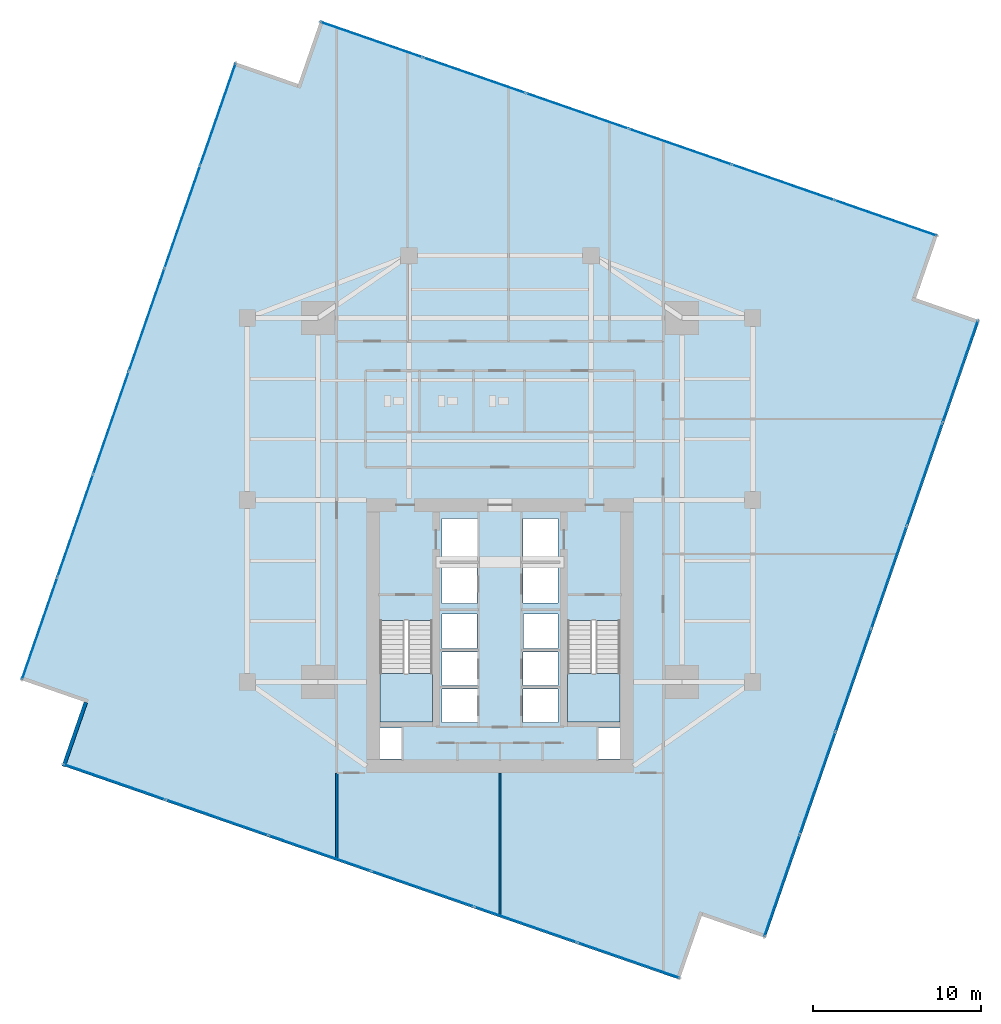
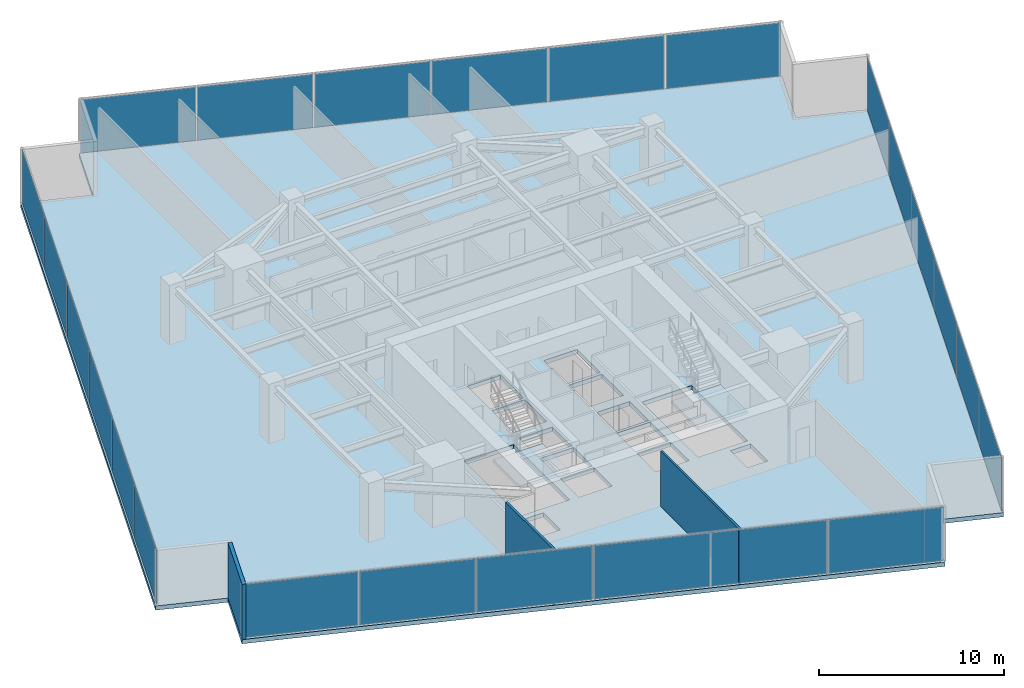
# One storey, part 22 of 27: 24 plates, 3 slabs, 3 walls, 6 elements without a shape of their own.
"""IFC4 building model written with IfcOpenShell, lengths in metres."""

import ifcopenshell
import ifcopenshell.guid

model = None  # the IFC model being written
_history = None  # IfcOwnerHistory: only IFC2X3 demands one
_inside = {}  # id of a spatial element -> (the spatial element, [elements in it])
_under = {}  # id of a project, library or spatial element -> (it, [spatial elements below it])
_declared = {}  # id of a project -> (the project, [libraries it declares])
_typed = {}  # id of a type object -> (the type object, [elements of that type])
_made_of = {}  # id of a material, layer set ... -> (it, [elements and type objects made of it])


def new_model(schema):
    """Start an empty IFC model of exactly this schema.

    Asked for "IFC4X3", IfcOpenShell would pick the latest addendum, in which some entities
    have other attributes; the version numbers below select the first issue.
    IFC2X3 requires an IfcOwnerHistory on every rooted entity: one is made here for all.
    """
    global model, _history
    if schema == "IFC4X3":
        model = ifcopenshell.file(schema_version=(4, 3, 0, 0))
    else:
        model = ifcopenshell.file(schema=schema)
    _inside.clear()
    _under.clear()
    _declared.clear()
    _typed.clear()
    _made_of.clear()
    _history = None
    if model.schema == "IFC2X3":
        org = make("IfcOrganization", Name="unknown")
        user = make(
            "IfcPersonAndOrganization",
            ThePerson=make("IfcPerson", FamilyName="unknown"),
            TheOrganization=org,
        )
        app = make(
            "IfcApplication",
            ApplicationDeveloper=org,
            Version="unknown",
            ApplicationFullName="unknown",
            ApplicationIdentifier="unknown",
        )
        _history = make(
            "IfcOwnerHistory",
            OwningUser=user,
            OwningApplication=app,
            ChangeAction="ADDED",
            CreationDate=0,
        )
    return model


def make(cls, **values):
    """One entity of the class cls with the attributes given. An attribute that is None is left unset."""
    return model.create_entity(
        cls, **{name: value for name, value in values.items() if value is not None}
    )


def rooted(cls, **values):
    """An entity with a GlobalId (a new one), such as an element, a storey or a relation."""
    return make(cls, GlobalId=ifcopenshell.guid.new(), OwnerHistory=_history, **values)


def si_unit(unit_type, name, prefix=None):
    """IfcSIUnit, for example si_unit("LENGTHUNIT", "METRE", prefix="MILLI")."""
    return make("IfcSIUnit", UnitType=unit_type, Prefix=prefix, Name=name)


def assignment(units):
    """IfcUnitAssignment: the units of a project."""
    return None if units is None else make("IfcUnitAssignment", Units=units)


def point(xyz):
    """IfcCartesianPoint."""
    return None if xyz is None else make("IfcCartesianPoint", Coordinates=xyz)


def direction(xyz):
    """IfcDirection."""
    return None if xyz is None else make("IfcDirection", DirectionRatios=xyz)


def frame(location, z_axis=None, x_axis=None):
    """IfcAxis2Placement3D, a coordinate frame: its origin and axes. An axis left out is left unset."""
    return make(
        "IfcAxis2Placement3D",
        Location=point(location),
        Axis=direction(z_axis),
        RefDirection=direction(x_axis),
    )


def frame_2d(location, x_axis=None):
    """IfcAxis2Placement2D, a coordinate frame in the plane: its origin and x axis."""
    return make(
        "IfcAxis2Placement2D", Location=point(location), RefDirection=direction(x_axis)
    )


def origin():
    """The frame at (0, 0, 0) with its axes left unset."""
    return frame((0.0, 0.0, 0.0))


def origin_2d():
    """The frame at (0, 0) in the plane with its x axis left unset."""
    return frame_2d((0.0, 0.0))


def place(relative_to, where):
    """IfcLocalPlacement: puts the frame where relative to a parent placement (None: the world)."""
    return make(
        "IfcLocalPlacement", PlacementRelTo=relative_to, RelativePlacement=where
    )


def context(
    kind, dimensions, precision=None, world=None, true_north=None, identifier=None
):
    """IfcGeometricRepresentationContext, for example the 3D "Model" context."""
    return make(
        "IfcGeometricRepresentationContext",
        ContextIdentifier=identifier,
        ContextType=kind,
        CoordinateSpaceDimension=dimensions,
        Precision=precision,
        WorldCoordinateSystem=world,
        TrueNorth=true_north,
    )


def subcontext(parent, identifier, kind, view, scale=None):
    """IfcGeometricRepresentationSubContext, for example "Body" below "Model"."""
    return make(
        "IfcGeometricRepresentationSubContext",
        ContextIdentifier=identifier,
        ContextType=kind,
        ParentContext=parent,
        TargetScale=scale,
        TargetView=view,
    )


def project(units=None, contexts=None):
    """IfcProject with its units and contexts."""
    return rooted(
        "IfcProject",
        Name="project",
        RepresentationContexts=contexts,
        UnitsInContext=assignment(units),
    )


def spatial(cls, under=None, at=None, **own):
    """A site, building, storey or space (cls), placed at a placement, below another one or the project."""
    s = rooted(cls, ObjectPlacement=at, **own)
    if under is not None:
        _under.setdefault(under.id(), (under, []))[1].append(s)
    return s


def polyline(points):
    """IfcPolyline through the points."""
    return make("IfcPolyline", Points=[point(p) for p in points])


def profile(cls, at=None, kind="AREA", **sizes):
    """A parametric profile (cls). Its sizes go by their IFC names, for example OverallWidth=200.0."""
    return make(cls, ProfileType=kind, Position=at, **sizes)


def rectangle(**sizes):
    """IfcRectangleProfileDef."""
    return profile("IfcRectangleProfileDef", **sizes)


def outline(outer, holes=None, kind="AREA"):
    """IfcArbitraryClosedProfileDef: a profile drawn as a closed curve; with holes, ...WithVoids."""
    if holes is None:
        return make("IfcArbitraryClosedProfileDef", ProfileType=kind, OuterCurve=outer)
    return make(
        "IfcArbitraryProfileDefWithVoids",
        ProfileType=kind,
        OuterCurve=outer,
        InnerCurves=holes,
    )


def extrude(swept, where, along, depth):
    """IfcExtrudedAreaSolid: the profile swept, set in the frame where, extruded along a direction by depth."""
    return make(
        "IfcExtrudedAreaSolid",
        SweptArea=swept,
        Position=where,
        ExtrudedDirection=direction(along),
        Depth=depth,
    )


def shape(context_of_items, identifier, shape_type, items):
    """IfcShapeRepresentation: the items that make up one representation, for example the "Body"."""
    return make(
        "IfcShapeRepresentation",
        ContextOfItems=context_of_items,
        RepresentationIdentifier=identifier,
        RepresentationType=shape_type,
        Items=items,
    )


def source(mapping_origin, context_of_items, identifier, shape_type, items):
    """IfcRepresentationMap: a shape defined once, which mapped items show again and again."""
    return make(
        "IfcRepresentationMap",
        MappingOrigin=mapping_origin,
        MappedRepresentation=shape(context_of_items, identifier, shape_type, items),
    )


def transform(
    local_origin,
    x_axis=None,
    y_axis=None,
    z_axis=None,
    scale=None,
    scale2=None,
    scale3=None,
    uniform=True,
):
    """IfcCartesianTransformationOperator3D, or its non-uniform kind. x_axis, y_axis, z_axis: its Axis1, 2, 3."""
    if uniform:
        return make(
            "IfcCartesianTransformationOperator3D",
            Axis1=direction(x_axis),
            Axis2=direction(y_axis),
            LocalOrigin=point(local_origin),
            Scale=scale,
            Axis3=direction(z_axis),
        )
    return make(
        "IfcCartesianTransformationOperator3DnonUniform",
        Axis1=direction(x_axis),
        Axis2=direction(y_axis),
        LocalOrigin=point(local_origin),
        Scale=scale,
        Axis3=direction(z_axis),
        Scale2=scale2,
        Scale3=scale3,
    )


def mapped(mapping_source, mapping_target):
    """IfcMappedItem: shows the shape of a source again, moved by a transform."""
    return make(
        "IfcMappedItem", MappingSource=mapping_source, MappingTarget=mapping_target
    )


def material(Name=None, Category=None):
    """IfcMaterial."""
    return make("IfcMaterial", Name=Name, Category=Category)


def layer(
    of_material, thickness, ventilated=None, Name=None, Category=None, Priority=None
):
    """IfcMaterialLayer: one layer of a wall or slab, of a material (None: an air gap)."""
    return make(
        "IfcMaterialLayer",
        Material=of_material,
        LayerThickness=thickness,
        IsVentilated=ventilated,
        Name=Name,
        Category=Category,
        Priority=Priority,
    )


def layer_set(layers, Name=None):
    """IfcMaterialLayerSet."""
    return make("IfcMaterialLayerSet", MaterialLayers=layers, LayerSetName=Name)


def made_of(thing, what):
    """Note that an element or type object is made of a material, layer set ...; save() writes the relation."""
    if what is not None:
        _made_of.setdefault(what.id(), (what, []))[1].append(thing)
    return thing


def type_object(cls, material=None, **own):
    """A type object (cls), such as IfcWallType, which elements share."""
    return made_of(rooted(cls, **own), material)


def type_shapes(of_type, sources):
    """Give a type object the sources (RepresentationMaps) that its elements show as mapped items."""
    of_type.RepresentationMaps = sources


def element(
    cls,
    number,
    at=None,
    inside=None,
    cuts=None,
    type_object=None,
    material=None,
    context=None,
    identifier="Body",
    shape_type=None,
    held_by="IfcProductDefinitionShape",
    body=None,
    shapes=None,
    **own,
):
    """One element of the class cls, such as IfcWall. Its Tag is "e" and its number.

    at: its placement. inside: the storey or other place that contains it. cuts: it is an
    opening in that element (IfcRelVoidsElement). A single representation is given by context,
    identifier, shape_type and body (its items); several are given by shapes. held_by: the class
    of the entity that holds the representations. save() writes the other relations.
    """
    e = rooted(cls, Tag="e%d" % number, ObjectPlacement=at, **own)
    if body is not None:
        shapes = [shape(context, identifier, shape_type, body)]
    if shapes is not None:
        e.Representation = make(held_by, Representations=shapes)
    if inside is not None:
        _inside.setdefault(inside.id(), (inside, []))[1].append(e)
    if cuts is not None:
        rooted(
            "IfcRelVoidsElement", RelatingBuildingElement=cuts, RelatedOpeningElement=e
        )
    if type_object is not None:
        _typed.setdefault(type_object.id(), (type_object, []))[1].append(e)
    return made_of(e, material)


def aggregate(whole, parts):
    """IfcRelAggregates: a whole, such as a stair, and the parts it consists of."""
    return rooted("IfcRelAggregates", RelatingObject=whole, RelatedObjects=parts)


def save(model, path):
    """Write the relations noted so far, then the file.

    IfcRelAggregates (storeys below a building ...), IfcRelContainedInSpatialStructure (elements
    in a storey), IfcRelDefinesByType, IfcRelAssociatesMaterial and IfcRelDeclares: one each for
    every whole, place, type object, material and project.
    """
    for whole, parts in _under.values():
        aggregate(whole, parts)
    for where, things in _inside.values():
        rooted(
            "IfcRelContainedInSpatialStructure",
            RelatedElements=things,
            RelatingStructure=where,
        )
    for kind, things in _typed.values():
        rooted("IfcRelDefinesByType", RelatedObjects=things, RelatingType=kind)
    for what, things in _made_of.values():
        rooted("IfcRelAssociatesMaterial", RelatedObjects=things, RelatingMaterial=what)
    for by, libraries in _declared.values():
        rooted("IfcRelDeclares", RelatingContext=by, RelatedDefinitions=libraries)
    model.write(path)


model = new_model("IFC4")

# Units and contexts
model_context = context("Model", 3, precision=1e-05, world=origin(), true_north=direction((0.0, 1.0)))
body_context = subcontext(model_context, "Body", "Model", "MODEL_VIEW")
ifc_project = project(units=[si_unit("LENGTHUNIT", "METRE"), si_unit("AREAUNIT", "SQUARE_METRE"), si_unit("VOLUMEUNIT", "CUBIC_METRE"), si_unit("PLANEANGLEUNIT", "RADIAN"), si_unit("MASSUNIT", "GRAM", prefix="KILO")], contexts=[model_context])

# Site, building, storey
site_placement = place(None, origin())
site = spatial("IfcSite", under=ifc_project, at=site_placement, CompositionType="ELEMENT")
building_placement = place(site_placement, origin())
building = spatial("IfcBuilding", under=site, at=building_placement, Name="Krantzveldt Concourse Tower", CompositionType="ELEMENT")
storey_placement = place(building_placement, frame((0.0, 0.0, 125.60009765625)))
storey = spatial("IfcBuildingStorey", under=building, at=storey_placement, Name="L30", CompositionType="ELEMENT", Elevation=125.60009765625)

# Stair, slab
ifc_material_1 = material(Name="Precast concrete C40/50", Category="concrete")
stair_type = type_object("IfcStairType", Name="STR-CORE-DOGLEG", PredefinedType="HALF_TURN_STAIR", material=ifc_material_1)
stair_1_placement = place(storey_placement, origin())
stair_1 = element("IfcStair", 1, at=stair_1_placement, inside=storey, type_object=stair_type, Name="L30 Protected Escape Stair ST-1", PredefinedType="HALF_TURN_STAIR")
ifc_layer_1 = layer(ifc_material_1, 0.199951171875, Name="Precast concrete C40/50", Category="concrete")
ifc_layer_set_1 = layer_set([ifc_layer_1], Name="Precast concrete C40/50 (SL-LANDING-200)")
slab_type_1 = type_object("IfcSlabType", Name="SL-LANDING-200", PredefinedType="LANDING", material=ifc_layer_set_1)
slab_1_placement = place(storey_placement, frame((0.0, 0.0, 1.77490234375)))
slab_1 = element("IfcSlab", 2, at=slab_1_placement, type_object=slab_type_1, Name="ST-1 landing 1", PredefinedType="LANDING", context=body_context, shape_type="SweptSolid", body=[
    extrude(outline(polyline([(28.8798828125, 16.4150390625), (28.8798828125, 13.52001953125), (31.97998046875, 13.52001953125), (31.97998046875, 16.4150390625), (28.8798828125, 16.4150390625)])), origin(), (0.0, 0.0, 1.0), 0.199951171875),
])
aggregate(stair_1, [slab_1])

stair_2_placement = place(storey_placement, origin())
stair_2 = element("IfcStair", 3, at=stair_2_placement, inside=storey, type_object=stair_type, Name="L30 Protected Escape Stair ST-2", PredefinedType="HALF_TURN_STAIR")
slab_2_placement = place(storey_placement, frame((0.0, 0.0, 1.77490234375)))
slab_2 = element("IfcSlab", 4, at=slab_2_placement, type_object=slab_type_1, Name="ST-2 landing 1", PredefinedType="LANDING", context=body_context, shape_type="SweptSolid", body=[
    extrude(outline(polyline([(40.02001953125, 16.4150390625), (40.02001953125, 13.52001953125), (43.1201171875, 13.52001953125), (43.1201171875, 16.4150390625), (40.02001953125, 16.4150390625)])), origin(), (0.0, 0.0, 1.0), 0.199951171875),
])
aggregate(stair_2, [slab_2])

# Slab
ifc_material_2 = material(Name="Concrete C40/50", Category="concrete")
ifc_layer_2 = layer(ifc_material_2, 0.280029296875, Name="Concrete C40/50", Category="concrete")
ifc_layer_set_2 = layer_set([ifc_layer_2], Name="Concrete C40/50 (SL-SL-TWR280)")
slab_type_2 = type_object("IfcSlabType", Name="SL-SL-TWR280", PredefinedType="FLOOR", material=ifc_layer_set_2)
slab_3_placement = place(storey_placement, frame((0.0, 0.0, -0.280029296875)))
element("IfcSlab", 5, at=slab_3_placement, inside=storey, type_object=slab_type_2, Name="SL-L30-MAIN", PredefinedType="FLOOR", context=body_context, shape_type="SweptSolid", body=[
    extrude(outline(polyline([(24.02685546875, 51.38525390625), (20.24755859375, 52.69580078125), (7.535400390625, 16.037353515625), (11.314697265625, 14.726806640625), (10.004150390625, 10.947509765625), (46.66259765625, -1.764404296875), (47.97314453125, 2.0146484375), (51.75244140625, 0.7041015625), (64.464599609375, 37.36279296875), (60.685302734375, 38.673095703125), (61.995849609375, 42.452392578125), (25.33740234375, 55.16455078125), (24.02685546875, 51.38525390625)]), holes=[polyline([(28.8798828125, 19.547607421875), (28.8798828125, 13.52001953125), (31.97998046875, 13.52001953125), (31.97998046875, 19.547607421875), (28.8798828125, 19.547607421875)]), polyline([(40.02001953125, 19.547607421875), (40.02001953125, 13.52001953125), (43.1201171875, 13.52001953125), (43.1201171875, 19.547607421875), (40.02001953125, 19.547607421875)]), polyline([(32.550048828125, 23.10009765625), (34.64990234375, 23.10009765625), (34.64990234375, 25.60009765625), (32.550048828125, 25.60009765625), (32.550048828125, 23.10009765625)]), polyline([(37.35009765625, 23.10009765625), (39.449951171875, 23.10009765625), (39.449951171875, 25.60009765625), (37.35009765625, 25.60009765625), (37.35009765625, 23.10009765625)]), polyline([(37.35009765625, 20.60009765625), (39.449951171875, 20.60009765625), (39.449951171875, 22.89990234375), (37.35009765625, 22.89990234375), (37.35009765625, 20.60009765625)]), polyline([(32.550048828125, 13.47998046875), (34.64990234375, 13.47998046875), (34.64990234375, 15.47998046875), (32.550048828125, 15.47998046875), (32.550048828125, 13.47998046875)]), polyline([(32.550048828125, 15.679931640625), (34.64990234375, 15.679931640625), (34.64990234375, 17.679931640625), (32.550048828125, 17.679931640625), (32.550048828125, 15.679931640625)]), polyline([(37.35009765625, 13.47998046875), (39.449951171875, 13.47998046875), (39.449951171875, 15.47998046875), (37.35009765625, 15.47998046875), (37.35009765625, 13.47998046875)]), polyline([(37.35009765625, 15.679931640625), (39.449951171875, 15.679931640625), (39.449951171875, 17.679931640625), (37.35009765625, 17.679931640625), (37.35009765625, 15.679931640625)]), polyline([(32.550048828125, 20.550048828125), (34.6201171875, 20.550048828125), (34.6201171875, 22.89990234375), (32.550048828125, 22.89990234375), (32.550048828125, 20.550048828125)]), polyline([(32.550048828125, 17.8798828125), (34.6201171875, 17.8798828125), (34.6201171875, 19.919921875), (32.550048828125, 19.919921875), (32.550048828125, 17.8798828125)]), polyline([(37.3798828125, 17.8798828125), (39.449951171875, 17.8798828125), (39.449951171875, 19.919921875), (37.3798828125, 19.919921875), (37.3798828125, 17.8798828125)]), polyline([(28.8798828125, 11.320068359375), (30.139892578125, 11.320068359375), (30.139892578125, 13.159912109375), (28.8798828125, 13.159912109375), (28.8798828125, 11.320068359375)]), polyline([(41.860107421875, 11.320068359375), (43.1201171875, 11.320068359375), (43.1201171875, 13.159912109375), (41.860107421875, 13.159912109375), (41.860107421875, 11.320068359375)])]), origin(), (0.0, 0.0, 1.0), 0.280029296875),
])

# Curtain wall, plates
ifc_material_3 = material(Name="Anodised aluminium 6063-T6", Category="aluminium")
curtain_wall_type = type_object("IfcCurtainWallType", Name="CW2", PredefinedType="USERDEFINED", material=ifc_material_3)
curtain_wall_1_placement = place(storey_placement, origin())
curtain_wall_1 = element("IfcCurtainWall", 6, at=curtain_wall_1_placement, inside=storey, type_object=curtain_wall_type, Name="CW-L30-F01", ObjectType="UNITISED CURTAIN WALL", PredefinedType="USERDEFINED")
ifc_material_4 = material(Name="Bronze-tinted laminated low-E IGU glass", Category="glass")
ifc_layer_3 = layer(ifc_material_4, 0.031982421875, Name="Bronze-tinted laminated low-E IGU glass", Category="glass")
ifc_layer_set_3 = layer_set([ifc_layer_3], Name="Bronze-tinted laminated low-E IGU glass (CW-GLZ-32)")
plate_type = type_object("IfcPlateType", Name="CW-GLZ-32", PredefinedType="CURTAIN_PANEL", material=ifc_layer_set_3)
shared_shape_1 = source(origin(), body_context, "Body", "SweptSolid", [
    extrude(rectangle(XDim=6.361572265625, YDim=0.031982421875, at=origin_2d()), origin(), (0.0, 0.0, 1.0), 3.530029296875),
])
plate_1_placement = place(storey_placement, frame((19.267578125, 49.594970703125, 0.06982421875), z_axis=(0.0, 0.0, 1.0), x_axis=(-0.32763019404, -0.944806041446, 0.0)))
plate_1 = element("IfcPlate", 7, at=plate_1_placement, type_object=plate_type, Name="CW-Z12 panel 1.1", PredefinedType="CURTAIN_PANEL", context=body_context, shape_type="MappedRepresentation", body=[
    mapped(shared_shape_1, transform((0.0, 0.0, 0.0), x_axis=(1.0, 0.0, 0.0), y_axis=(0.0, 1.0, 0.0), z_axis=(0.0, 0.0, 1.0), scale=1.0)),
])
plate_2_placement = place(storey_placement, frame((8.685546875, 19.079345703125, 0.06982421875), z_axis=(0.0, 0.0, 1.0), x_axis=(-0.32763019404, -0.944806041446, 0.0)))
plate_2 = element("IfcPlate", 8, at=plate_2_placement, type_object=plate_type, Name="CW-Z12 panel 6.1", PredefinedType="CURTAIN_PANEL", context=body_context, shape_type="MappedRepresentation", body=[
    mapped(shared_shape_1, transform((0.0, 0.0, 0.0), x_axis=(1.0, 0.0, 0.0), y_axis=(0.0, 1.0, 0.0), z_axis=(0.0, 0.0, 1.0), scale=1.0)),
])

curtain_wall_2_placement = place(storey_placement, origin())
curtain_wall_2 = element("IfcCurtainWall", 9, at=curtain_wall_2_placement, inside=storey, type_object=curtain_wall_type, Name="CW-L30-F04", ObjectType="UNITISED CURTAIN WALL", PredefinedType="USERDEFINED")
plate_3_placement = place(storey_placement, frame((13.105224609375, 9.967529296875, 0.06982421875), z_axis=(0.0, 0.0, 1.0), x_axis=(0.944806041446, -0.32763019404, 0.0)))
plate_3 = element("IfcPlate", 10, at=plate_3_placement, type_object=plate_type, Name="CW-Z12 panel 1.1", PredefinedType="CURTAIN_PANEL", context=body_context, shape_type="MappedRepresentation", body=[
    mapped(shared_shape_1, transform((0.0, 0.0, 0.0), x_axis=(1.0, 0.0, 0.0), y_axis=(0.0, 1.0, 0.0), z_axis=(0.0, 0.0, 1.0), scale=1.0)),
])
plate_4_placement = place(storey_placement, frame((43.620849609375, -0.614501953125, 0.06982421875), z_axis=(0.0, 0.0, 1.0), x_axis=(0.944806041446, -0.32763019404, 0.0)))
plate_4 = element("IfcPlate", 11, at=plate_4_placement, type_object=plate_type, Name="CW-Z12 panel 6.1", PredefinedType="CURTAIN_PANEL", context=body_context, shape_type="MappedRepresentation", body=[
    mapped(shared_shape_1, transform((0.0, 0.0, 0.0), x_axis=(1.0, 0.0, 0.0), y_axis=(0.0, 1.0, 0.0), z_axis=(0.0, 0.0, 1.0), scale=1.0)),
])

curtain_wall_3_placement = place(storey_placement, origin())
curtain_wall_3 = element("IfcCurtainWall", 12, at=curtain_wall_3_placement, inside=storey, type_object=curtain_wall_type, Name="CW-L30-F07", ObjectType="UNITISED CURTAIN WALL", PredefinedType="USERDEFINED")
plate_5_placement = place(storey_placement, frame((52.732421875, 3.80517578125, 0.06982421875), z_axis=(0.0, 0.0, 1.0), x_axis=(0.32763019404, 0.944806041446, 0.0)))
plate_5 = element("IfcPlate", 13, at=plate_5_placement, type_object=plate_type, Name="CW-Z12 panel 1.1", PredefinedType="CURTAIN_PANEL", context=body_context, shape_type="MappedRepresentation", body=[
    mapped(shared_shape_1, transform((0.0, 0.0, 0.0), x_axis=(1.0, 0.0, 0.0), y_axis=(0.0, 1.0, 0.0), z_axis=(0.0, 0.0, 1.0), scale=1.0)),
])
plate_6_placement = place(storey_placement, frame((63.314453125, 34.32080078125, 0.06982421875), z_axis=(0.0, 0.0, 1.0), x_axis=(0.32763019404, 0.944806041446, 0.0)))
plate_6 = element("IfcPlate", 14, at=plate_6_placement, type_object=plate_type, Name="CW-Z12 panel 6.1", PredefinedType="CURTAIN_PANEL", context=body_context, shape_type="MappedRepresentation", body=[
    mapped(shared_shape_1, transform((0.0, 0.0, 0.0), x_axis=(1.0, 0.0, 0.0), y_axis=(0.0, 1.0, 0.0), z_axis=(0.0, 0.0, 1.0), scale=1.0)),
])

curtain_wall_4_placement = place(storey_placement, origin())
curtain_wall_4 = element("IfcCurtainWall", 15, at=curtain_wall_4_placement, inside=storey, type_object=curtain_wall_type, Name="CW-L30-F10", ObjectType="UNITISED CURTAIN WALL", PredefinedType="USERDEFINED")
plate_7_placement = place(storey_placement, frame((58.894775390625, 43.432373046875, 0.06982421875), z_axis=(0.0, 0.0, 1.0), x_axis=(-0.944806041446, 0.32763019404, 0.0)))
plate_7 = element("IfcPlate", 16, at=plate_7_placement, type_object=plate_type, Name="CW-Z12 panel 1.1", PredefinedType="CURTAIN_PANEL", context=body_context, shape_type="MappedRepresentation", body=[
    mapped(shared_shape_1, transform((0.0, 0.0, 0.0), x_axis=(1.0, 0.0, 0.0), y_axis=(0.0, 1.0, 0.0), z_axis=(0.0, 0.0, 1.0), scale=1.0)),
])
plate_8_placement = place(storey_placement, frame((28.379150390625, 54.014404296875, 0.06982421875), z_axis=(0.0, 0.0, 1.0), x_axis=(-0.944806041446, 0.32763019404, 0.0)))
plate_8 = element("IfcPlate", 17, at=plate_8_placement, type_object=plate_type, Name="CW-Z12 panel 6.1", PredefinedType="CURTAIN_PANEL", context=body_context, shape_type="MappedRepresentation", body=[
    mapped(shared_shape_1, transform((0.0, 0.0, 0.0), x_axis=(1.0, 0.0, 0.0), y_axis=(0.0, 1.0, 0.0), z_axis=(0.0, 0.0, 1.0), scale=1.0)),
])

# Plate
shared_shape_2 = source(origin(), body_context, "Body", "SweptSolid", [
    extrude(rectangle(XDim=6.396728515625, YDim=0.031982421875, at=origin_2d()), origin(), (0.0, 0.0, 1.0), 3.530029296875),
])
type_shapes(plate_type, [shared_shape_1, shared_shape_2])
plate_9_placement = place(storey_placement, frame((17.154541015625, 43.501708984375, 0.06982421875), z_axis=(0.0, 0.0, 1.0), x_axis=(-0.32763019404, -0.944806041446, 0.0)))
plate_9 = element("IfcPlate", 18, at=plate_9_placement, type_object=plate_type, Name="CW-Z12 panel 2.1", PredefinedType="CURTAIN_PANEL", context=body_context, shape_type="MappedRepresentation", body=[
    mapped(shared_shape_2, transform((0.0, 0.0, 0.0), x_axis=(1.0, 0.0, 0.0), y_axis=(0.0, 1.0, 0.0), z_axis=(0.0, 0.0, 1.0), scale=1.0)),
])

plate_10_placement = place(storey_placement, frame((15.035888671875, 37.391845703125, 0.06982421875), z_axis=(0.0, 0.0, 1.0), x_axis=(-0.32763019404, -0.944806041446, 0.0)))
plate_10 = element("IfcPlate", 19, at=plate_10_placement, type_object=plate_type, Name="CW-Z12 panel 3.1", PredefinedType="CURTAIN_PANEL", context=body_context, shape_type="MappedRepresentation", body=[
    mapped(shared_shape_2, transform((0.0, 0.0, 0.0), x_axis=(1.0, 0.0, 0.0), y_axis=(0.0, 1.0, 0.0), z_axis=(0.0, 0.0, 1.0), scale=1.0)),
])

plate_11_placement = place(storey_placement, frame((12.917236328125, 31.2822265625, 0.06982421875), z_axis=(0.0, 0.0, 1.0), x_axis=(-0.32763019404, -0.944806041446, 0.0)))
plate_11 = element("IfcPlate", 20, at=plate_11_placement, type_object=plate_type, Name="CW-Z12 panel 4.1", PredefinedType="CURTAIN_PANEL", context=body_context, shape_type="MappedRepresentation", body=[
    mapped(shared_shape_2, transform((0.0, 0.0, 0.0), x_axis=(1.0, 0.0, 0.0), y_axis=(0.0, 1.0, 0.0), z_axis=(0.0, 0.0, 1.0), scale=1.0)),
])

plate_12_placement = place(storey_placement, frame((10.798583984375, 25.17236328125, 0.06982421875), z_axis=(0.0, 0.0, 1.0), x_axis=(-0.32763019404, -0.944806041446, 0.0)))
plate_12 = element("IfcPlate", 21, at=plate_12_placement, type_object=plate_type, Name="CW-Z12 panel 5.1", PredefinedType="CURTAIN_PANEL", context=body_context, shape_type="MappedRepresentation", body=[
    mapped(shared_shape_2, transform((0.0, 0.0, 0.0), x_axis=(1.0, 0.0, 0.0), y_axis=(0.0, 1.0, 0.0), z_axis=(0.0, 0.0, 1.0), scale=1.0)),
])

aggregate(curtain_wall_1, [plate_1, plate_9, plate_10, plate_11, plate_12, plate_2])

plate_13_placement = place(storey_placement, frame((19.1982421875, 7.8544921875, 0.06982421875), z_axis=(0.0, 0.0, 1.0), x_axis=(0.944806041446, -0.32763019404, 0.0)))
plate_13 = element("IfcPlate", 22, at=plate_13_placement, type_object=plate_type, Name="CW-Z12 panel 2.1", PredefinedType="CURTAIN_PANEL", context=body_context, shape_type="MappedRepresentation", body=[
    mapped(shared_shape_2, transform((0.0, 0.0, 0.0), x_axis=(1.0, 0.0, 0.0), y_axis=(0.0, 1.0, 0.0), z_axis=(0.0, 0.0, 1.0), scale=1.0)),
])

plate_14_placement = place(storey_placement, frame((25.30810546875, 5.73583984375, 0.06982421875), z_axis=(0.0, 0.0, 1.0), x_axis=(0.944806041446, -0.32763019404, 0.0)))
plate_14 = element("IfcPlate", 23, at=plate_14_placement, type_object=plate_type, Name="CW-Z12 panel 3.1", PredefinedType="CURTAIN_PANEL", context=body_context, shape_type="MappedRepresentation", body=[
    mapped(shared_shape_2, transform((0.0, 0.0, 0.0), x_axis=(1.0, 0.0, 0.0), y_axis=(0.0, 1.0, 0.0), z_axis=(0.0, 0.0, 1.0), scale=1.0)),
])

plate_15_placement = place(storey_placement, frame((31.417724609375, 3.6171875, 0.06982421875), z_axis=(0.0, 0.0, 1.0), x_axis=(0.944806041446, -0.32763019404, 0.0)))
plate_15 = element("IfcPlate", 24, at=plate_15_placement, type_object=plate_type, Name="CW-Z12 panel 4.1", PredefinedType="CURTAIN_PANEL", context=body_context, shape_type="MappedRepresentation", body=[
    mapped(shared_shape_2, transform((0.0, 0.0, 0.0), x_axis=(1.0, 0.0, 0.0), y_axis=(0.0, 1.0, 0.0), z_axis=(0.0, 0.0, 1.0), scale=1.0)),
])

plate_16_placement = place(storey_placement, frame((37.527587890625, 1.49853515625, 0.06982421875), z_axis=(0.0, 0.0, 1.0), x_axis=(0.944806041446, -0.32763019404, 0.0)))
plate_16 = element("IfcPlate", 25, at=plate_16_placement, type_object=plate_type, Name="CW-Z12 panel 5.1", PredefinedType="CURTAIN_PANEL", context=body_context, shape_type="MappedRepresentation", body=[
    mapped(shared_shape_2, transform((0.0, 0.0, 0.0), x_axis=(1.0, 0.0, 0.0), y_axis=(0.0, 1.0, 0.0), z_axis=(0.0, 0.0, 1.0), scale=1.0)),
])

aggregate(curtain_wall_2, [plate_3, plate_13, plate_14, plate_15, plate_16, plate_4])

plate_17_placement = place(storey_placement, frame((54.845458984375, 9.8984375, 0.06982421875), z_axis=(0.0, 0.0, 1.0), x_axis=(0.32763019404, 0.944806041446, 0.0)))
plate_17 = element("IfcPlate", 26, at=plate_17_placement, type_object=plate_type, Name="CW-Z12 panel 2.1", PredefinedType="CURTAIN_PANEL", context=body_context, shape_type="MappedRepresentation", body=[
    mapped(shared_shape_2, transform((0.0, 0.0, 0.0), x_axis=(1.0, 0.0, 0.0), y_axis=(0.0, 1.0, 0.0), z_axis=(0.0, 0.0, 1.0), scale=1.0)),
])

plate_18_placement = place(storey_placement, frame((56.964111328125, 16.008056640625, 0.06982421875), z_axis=(0.0, 0.0, 1.0), x_axis=(0.32763019404, 0.944806041446, 0.0)))
plate_18 = element("IfcPlate", 27, at=plate_18_placement, type_object=plate_type, Name="CW-Z12 panel 3.1", PredefinedType="CURTAIN_PANEL", context=body_context, shape_type="MappedRepresentation", body=[
    mapped(shared_shape_2, transform((0.0, 0.0, 0.0), x_axis=(1.0, 0.0, 0.0), y_axis=(0.0, 1.0, 0.0), z_axis=(0.0, 0.0, 1.0), scale=1.0)),
])

plate_19_placement = place(storey_placement, frame((59.082763671875, 22.117919921875, 0.06982421875), z_axis=(0.0, 0.0, 1.0), x_axis=(0.32763019404, 0.944806041446, 0.0)))
plate_19 = element("IfcPlate", 28, at=plate_19_placement, type_object=plate_type, Name="CW-Z12 panel 4.1", PredefinedType="CURTAIN_PANEL", context=body_context, shape_type="MappedRepresentation", body=[
    mapped(shared_shape_2, transform((0.0, 0.0, 0.0), x_axis=(1.0, 0.0, 0.0), y_axis=(0.0, 1.0, 0.0), z_axis=(0.0, 0.0, 1.0), scale=1.0)),
])

plate_20_placement = place(storey_placement, frame((61.201416015625, 28.2275390625, 0.06982421875), z_axis=(0.0, 0.0, 1.0), x_axis=(0.32763019404, 0.944806041446, 0.0)))
plate_20 = element("IfcPlate", 29, at=plate_20_placement, type_object=plate_type, Name="CW-Z12 panel 5.1", PredefinedType="CURTAIN_PANEL", context=body_context, shape_type="MappedRepresentation", body=[
    mapped(shared_shape_2, transform((0.0, 0.0, 0.0), x_axis=(1.0, 0.0, 0.0), y_axis=(0.0, 1.0, 0.0), z_axis=(0.0, 0.0, 1.0), scale=1.0)),
])

aggregate(curtain_wall_3, [plate_5, plate_17, plate_18, plate_19, plate_20, plate_6])

plate_21_placement = place(storey_placement, frame((52.8017578125, 45.54541015625, 0.06982421875), z_axis=(0.0, 0.0, 1.0), x_axis=(-0.944806041446, 0.32763019404, 0.0)))
plate_21 = element("IfcPlate", 30, at=plate_21_placement, type_object=plate_type, Name="CW-Z12 panel 2.1", PredefinedType="CURTAIN_PANEL", context=body_context, shape_type="MappedRepresentation", body=[
    mapped(shared_shape_2, transform((0.0, 0.0, 0.0), x_axis=(1.0, 0.0, 0.0), y_axis=(0.0, 1.0, 0.0), z_axis=(0.0, 0.0, 1.0), scale=1.0)),
])

plate_22_placement = place(storey_placement, frame((46.69189453125, 47.6640625, 0.06982421875), z_axis=(0.0, 0.0, 1.0), x_axis=(-0.944806041446, 0.32763019404, 0.0)))
plate_22 = element("IfcPlate", 31, at=plate_22_placement, type_object=plate_type, Name="CW-Z12 panel 3.1", PredefinedType="CURTAIN_PANEL", context=body_context, shape_type="MappedRepresentation", body=[
    mapped(shared_shape_2, transform((0.0, 0.0, 0.0), x_axis=(1.0, 0.0, 0.0), y_axis=(0.0, 1.0, 0.0), z_axis=(0.0, 0.0, 1.0), scale=1.0)),
])

plate_23_placement = place(storey_placement, frame((40.582275390625, 49.78271484375, 0.06982421875), z_axis=(0.0, 0.0, 1.0), x_axis=(-0.944806041446, 0.32763019404, 0.0)))
plate_23 = element("IfcPlate", 32, at=plate_23_placement, type_object=plate_type, Name="CW-Z12 panel 4.1", PredefinedType="CURTAIN_PANEL", context=body_context, shape_type="MappedRepresentation", body=[
    mapped(shared_shape_2, transform((0.0, 0.0, 0.0), x_axis=(1.0, 0.0, 0.0), y_axis=(0.0, 1.0, 0.0), z_axis=(0.0, 0.0, 1.0), scale=1.0)),
])

plate_24_placement = place(storey_placement, frame((34.472412109375, 51.9013671875, 0.06982421875), z_axis=(0.0, 0.0, 1.0), x_axis=(-0.944806041446, 0.32763019404, 0.0)))
plate_24 = element("IfcPlate", 33, at=plate_24_placement, type_object=plate_type, Name="CW-Z12 panel 5.1", PredefinedType="CURTAIN_PANEL", context=body_context, shape_type="MappedRepresentation", body=[
    mapped(shared_shape_2, transform((0.0, 0.0, 0.0), x_axis=(1.0, 0.0, 0.0), y_axis=(0.0, 1.0, 0.0), z_axis=(0.0, 0.0, 1.0), scale=1.0)),
])

aggregate(curtain_wall_4, [plate_7, plate_21, plate_22, plate_23, plate_24, plate_8])

# Walls
ifc_layer_4 = layer(ifc_material_3, 0.219970703125, Name="Anodised aluminium 6063-T6", Category="aluminium")
ifc_layer_set_4 = layer_set([ifc_layer_4], Name="Anodised aluminium 6063-T6 (WL-EXT-NOTCH220)")
wall_type_1 = type_object("IfcWallType", Name="WL-EXT-NOTCH220", PredefinedType="ELEMENTEDWALL", material=ifc_layer_set_4)
wall_1_placement = place(storey_placement, frame((11.418701171875, 14.690673828125, 0.0), z_axis=(0.0, 0.0, 1.0), x_axis=(-0.327668839181, -0.944792639593, 0.0)))
element("IfcWall", 34, at=wall_1_placement, inside=storey, type_object=wall_type_1, Name="EW-L30-NCH03", PredefinedType="ELEMENTEDWALL", context=body_context, shape_type="SweptSolid", body=[
    extrude(rectangle(XDim=4.02490234375, YDim=0.219970703125, at=frame_2d((2.012451171875, 0.0))), origin(), (0.0, 0.0, 1.0), 3.669921875),
])
ifc_material_5 = material(Name="Fire-rated gypsum plasterboard on steel stud", Category="steel")
ifc_layer_5 = layer(ifc_material_5, 0.1201171875, Name="Fire-rated gypsum plasterboard on steel stud", Category="steel")
ifc_layer_set_5 = layer_set([ifc_layer_5], Name="Fire-rated gypsum plasterboard on steel stud (WL-PART-120)")
wall_type_2 = type_object("IfcWallType", Name="WL-PART-120", PredefinedType="PARTITIONING", material=ifc_layer_set_5)
wall_2_placement = place(storey_placement, frame((36.0, 2.0283203125, 0.0), z_axis=(0.0, 0.0, 1.0), x_axis=(0.0, 1.0, 0.0)))
element("IfcWall", 35, at=wall_2_placement, inside=storey, type_object=wall_type_2, Name="WP-L30-SMD", PredefinedType="PARTITIONING", context=body_context, shape_type="SweptSolid", body=[
    extrude(rectangle(XDim=8.4716796875, YDim=0.1201171875, at=frame_2d((4.23583984375, 0.0))), origin(), (0.0, 0.0, 1.0), 3.669921875),
])
ifc_layer_6 = layer(ifc_material_5, 0.139892578125, Name="Fire-rated gypsum plasterboard on steel stud", Category="steel")
ifc_layer_set_6 = layer_set([ifc_layer_6], Name="Fire-rated gypsum plasterboard on steel stud (WL-PART-140)")
wall_type_3 = type_object("IfcWallType", Name="WL-PART-140", PredefinedType="PARTITIONING", material=ifc_layer_set_6)
wall_3_placement = place(storey_placement, frame((26.320068359375, 5.385009765625, 0.0), z_axis=(0.0, 0.0, 1.0), x_axis=(0.0, 1.0, 0.0)))
element("IfcWall", 36, at=wall_3_placement, inside=storey, type_object=wall_type_3, Name="WP-L30-SWL", PredefinedType="PARTITIONING", context=body_context, shape_type="SweptSolid", body=[
    extrude(rectangle(XDim=5.114990234375, YDim=0.139892578125, at=frame_2d((2.5576171875, 0.0))), origin(), (0.0, 0.0, 1.0), 3.669921875),
])

save(model, "model.ifc")
